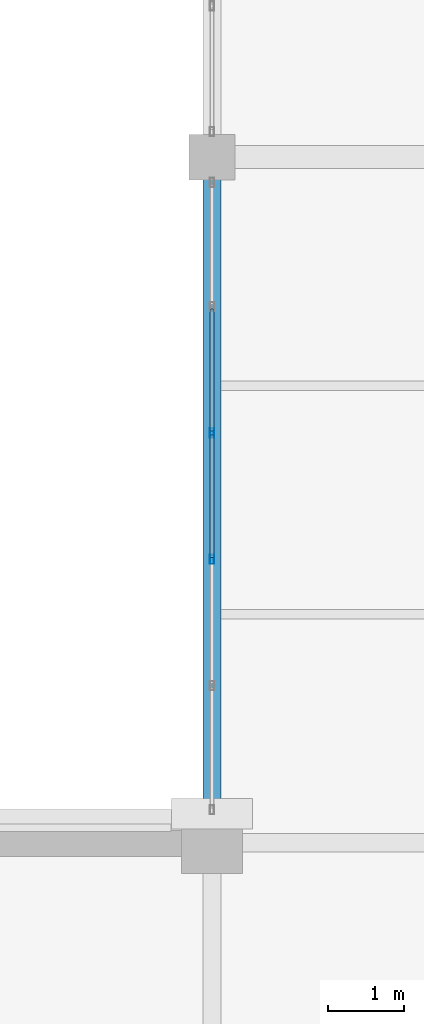
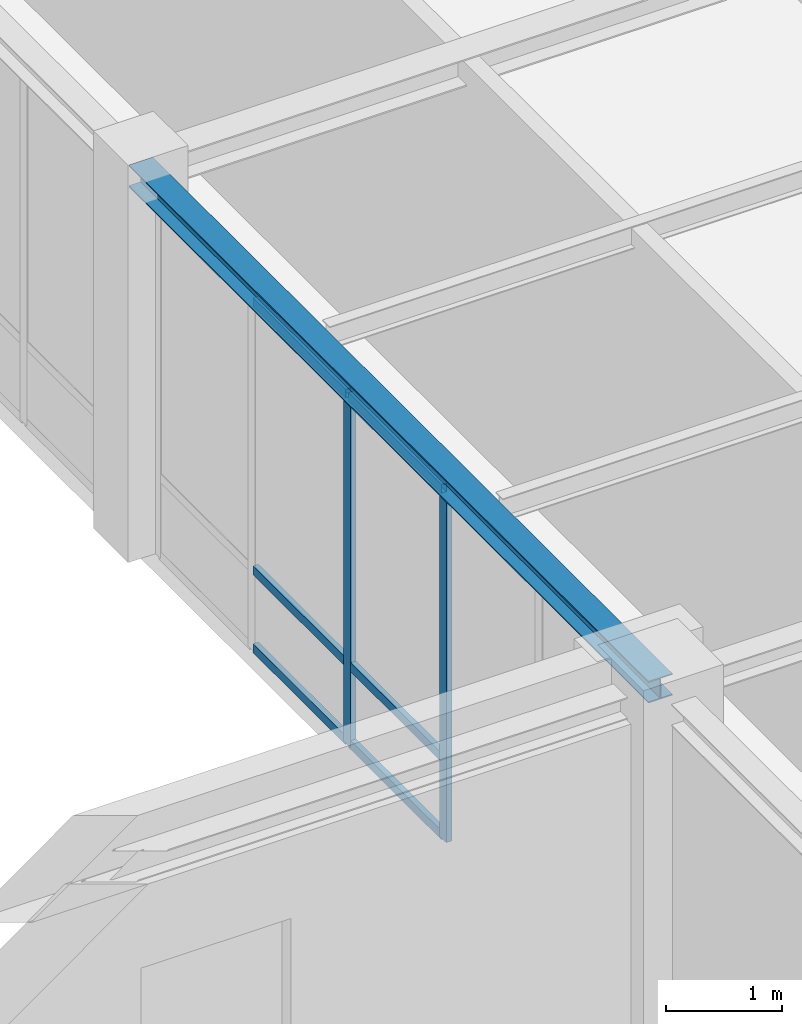
# One storey, part 27 of 97: 8 members, 1 beam, 1 element without a shape of its own.
"""IFC4 building model written with IfcOpenShell, lengths in metres."""

from ifc_helpers import new_model, si_unit, direction, frame, origin, origin_2d, place, context, subcontext, project, spatial, hollow_rectangle, i_section, extrude, material, material_profile, profile_set, type_object, element, aggregate, save


model = new_model("IFC4")

# Units and contexts
model_context = context("Model", 3, precision=1e-05, world=origin(), true_north=direction((0.0, 1.0)))
body_context = subcontext(model_context, "Body", "Model", "MODEL_VIEW")
ifc_project = project(units=[si_unit("LENGTHUNIT", "METRE"), si_unit("AREAUNIT", "SQUARE_METRE"), si_unit("VOLUMEUNIT", "CUBIC_METRE"), si_unit("PLANEANGLEUNIT", "RADIAN"), si_unit("MASSUNIT", "GRAM", prefix="KILO")], contexts=[model_context])

# Site, building, storey
site_placement = place(None, origin())
site = spatial("IfcSite", under=ifc_project, at=site_placement, CompositionType="ELEMENT")
building_placement = place(site_placement, origin())
building = spatial("IfcBuilding", under=site, at=building_placement, Name="Lykobir Media Centre", CompositionType="ELEMENT")
storey_placement = place(building_placement, frame((0.0, 0.0, 23.39990234375)))
storey = spatial("IfcBuildingStorey", under=building, at=storey_placement, Name="L05", CompositionType="ELEMENT", Elevation=23.39990234375)

# Curtain wall, members
ifc_material_1 = material(Name="Anodized Aluminium AW-6060", Category="aluminium")
curtain_wall_type = type_object("IfcCurtainWallType", Name="CW-COURT-B", PredefinedType="NOTDEFINED", material=ifc_material_1)
curtain_wall_placement = place(storey_placement, origin())
curtain_wall = element("IfcCurtainWall", 1, at=curtain_wall_placement, inside=storey, type_object=curtain_wall_type, Name="Curtain wall CW2-L05-0201", PredefinedType="NOTDEFINED")
ifc_material_profile_1 = material_profile(ifc_material_1, hollow_rectangle(XDim=0.054931640625, YDim=0.1201171875, WallThickness=0.003173828125, at=origin_2d()), Name="ALU MULLION 55x120")
ifc_profile_set_1 = profile_set([ifc_material_profile_1], Name="Anodized Aluminium AW-6060")
member_type_1 = type_object("IfcMemberType", Name="CWM-120", PredefinedType="MULLION", material=ifc_profile_set_1)
member_1_placement = place(storey_placement, frame((27.0, 48.720947265625, 0.0), z_axis=(0.0, 0.0, 1.0), x_axis=(-1.0, 0.0, 0.0)))
member_1 = element("IfcMember", 2, at=member_1_placement, type_object=member_type_1, Name="CW2-L05-0201 mullion 3", PredefinedType="MULLION", context=body_context, shape_type="SweptSolid", body=[
    extrude(hollow_rectangle(XDim=0.054931640625, YDim=0.1201171875, WallThickness=0.003173828125, at=origin_2d()), origin(), (0.0, 0.0, 1.0), 3.713134765625),
])
member_2_placement = place(storey_placement, frame((27.0, 50.37890625, 0.0), z_axis=(0.0, 0.0, 1.0), x_axis=(-1.0, 0.0, 0.0)))
member_2 = element("IfcMember", 3, at=member_2_placement, type_object=member_type_1, Name="CW2-L05-0201 mullion 4", PredefinedType="MULLION", context=body_context, shape_type="SweptSolid", body=[
    extrude(hollow_rectangle(XDim=0.054931640625, YDim=0.1201171875, WallThickness=0.003173828125, at=origin_2d()), origin(), (0.0, 0.0, 1.0), 3.713134765625),
])
ifc_material_profile_2 = material_profile(ifc_material_1, hollow_rectangle(XDim=0.054931640625, YDim=0.094970703125, WallThickness=0.0029296875, at=origin_2d()), Name="ALU TRANSOM 55x95")
ifc_profile_set_2 = profile_set([ifc_material_profile_2], Name="Anodized Aluminium AW-6060")
member_type_2 = type_object("IfcMemberType", Name="CWT-095", PredefinedType="USERDEFINED", material=ifc_profile_set_2)
member_3_placement = place(storey_placement, frame((27.0, 48.74853515625, 0.027587890625), z_axis=(0.0, 1.0, 0.0), x_axis=(-1.0, 0.0, 0.0)))
member_3 = element("IfcMember", 4, at=member_3_placement, type_object=member_type_2, Name="CW2-L05-0201 transom 3.1", ObjectType="TRANSOM", PredefinedType="USERDEFINED", context=body_context, shape_type="SweptSolid", body=[
    extrude(hollow_rectangle(XDim=0.054931640625, YDim=0.094970703125, WallThickness=0.0029296875, at=origin_2d()), origin(), (0.0, 0.0, 1.0), 1.60302734375),
])
member_4_placement = place(storey_placement, frame((27.0, 48.74853515625, 0.85009765625), z_axis=(0.0, 1.0, 0.0), x_axis=(-1.0, 0.0, 0.0)))
member_4 = element("IfcMember", 5, at=member_4_placement, type_object=member_type_2, Name="CW2-L05-0201 transom 3.2", ObjectType="TRANSOM", PredefinedType="USERDEFINED", context=body_context, shape_type="SweptSolid", body=[
    extrude(hollow_rectangle(XDim=0.054931640625, YDim=0.094970703125, WallThickness=0.0029296875, at=origin_2d()), origin(), (0.0, 0.0, 1.0), 1.60302734375),
])
member_5_placement = place(storey_placement, frame((27.0, 48.74853515625, 3.685546875), z_axis=(0.0, 1.0, 0.0), x_axis=(-1.0, 0.0, 0.0)))
member_5 = element("IfcMember", 6, at=member_5_placement, type_object=member_type_2, Name="CW2-L05-0201 transom 3.3", ObjectType="TRANSOM", PredefinedType="USERDEFINED", context=body_context, shape_type="SweptSolid", body=[
    extrude(hollow_rectangle(XDim=0.054931640625, YDim=0.094970703125, WallThickness=0.0029296875, at=origin_2d()), origin(), (0.0, 0.0, 1.0), 1.60302734375),
])
member_6_placement = place(storey_placement, frame((27.0, 50.406494140625, 0.027587890625), z_axis=(0.0, 1.0, 0.0), x_axis=(-1.0, 0.0, 0.0)))
member_6 = element("IfcMember", 7, at=member_6_placement, type_object=member_type_2, Name="CW2-L05-0201 transom 4.1", ObjectType="TRANSOM", PredefinedType="USERDEFINED", context=body_context, shape_type="SweptSolid", body=[
    extrude(hollow_rectangle(XDim=0.054931640625, YDim=0.094970703125, WallThickness=0.0029296875, at=origin_2d()), origin(), (0.0, 0.0, 1.0), 1.60302734375),
])
member_7_placement = place(storey_placement, frame((27.0, 50.406494140625, 0.85009765625), z_axis=(0.0, 1.0, 0.0), x_axis=(-1.0, 0.0, 0.0)))
member_7 = element("IfcMember", 8, at=member_7_placement, type_object=member_type_2, Name="CW2-L05-0201 transom 4.2", ObjectType="TRANSOM", PredefinedType="USERDEFINED", context=body_context, shape_type="SweptSolid", body=[
    extrude(hollow_rectangle(XDim=0.054931640625, YDim=0.094970703125, WallThickness=0.0029296875, at=origin_2d()), origin(), (0.0, 0.0, 1.0), 1.60302734375),
])
member_8_placement = place(storey_placement, frame((27.0, 50.406494140625, 3.685546875), z_axis=(0.0, 1.0, 0.0), x_axis=(-1.0, 0.0, 0.0)))
member_8 = element("IfcMember", 9, at=member_8_placement, type_object=member_type_2, Name="CW2-L05-0201 transom 4.3", ObjectType="TRANSOM", PredefinedType="USERDEFINED", context=body_context, shape_type="SweptSolid", body=[
    extrude(hollow_rectangle(XDim=0.054931640625, YDim=0.094970703125, WallThickness=0.0029296875, at=origin_2d()), origin(), (0.0, 0.0, 1.0), 1.60302734375),
])
aggregate(curtain_wall, [member_1, member_2, member_3, member_4, member_5, member_6, member_7, member_8])

# Beam
ifc_material_2 = material(Name="Steel S355", Category="steel")
ifc_material_profile_3 = material_profile(ifc_material_2, i_section(OverallWidth=0.239990234375, OverallDepth=0.22998046875, WebThickness=0.007568359375, FlangeThickness=0.011962890625, at=origin_2d()), Name="HEA 240")
ifc_profile_set_3 = profile_set([ifc_material_profile_3], Name="Steel S355")
beam_type = type_object("IfcBeamType", Name="SP-HEA240", PredefinedType="SPANDREL", material=ifc_profile_set_3)
beam_placement = place(storey_placement, frame((27.0, 45.0, 3.843017578125), z_axis=(0.0, 1.0, 0.0), x_axis=(-1.0, 0.0, 0.0)))
element("IfcBeam", 10, at=beam_placement, inside=storey, type_object=beam_type, Name="Beam BM-L05-0270-0450-0270-0540-2730", PredefinedType="SPANDREL", context=body_context, shape_type="SweptSolid", body=[
    extrude(i_section(OverallWidth=0.239990234375, OverallDepth=0.22998046875, WebThickness=0.007568359375, FlangeThickness=0.011962890625, at=origin_2d()), origin(), (0.0, 0.0, 1.0), 9.0),
])

save(model, "model.ifc")
